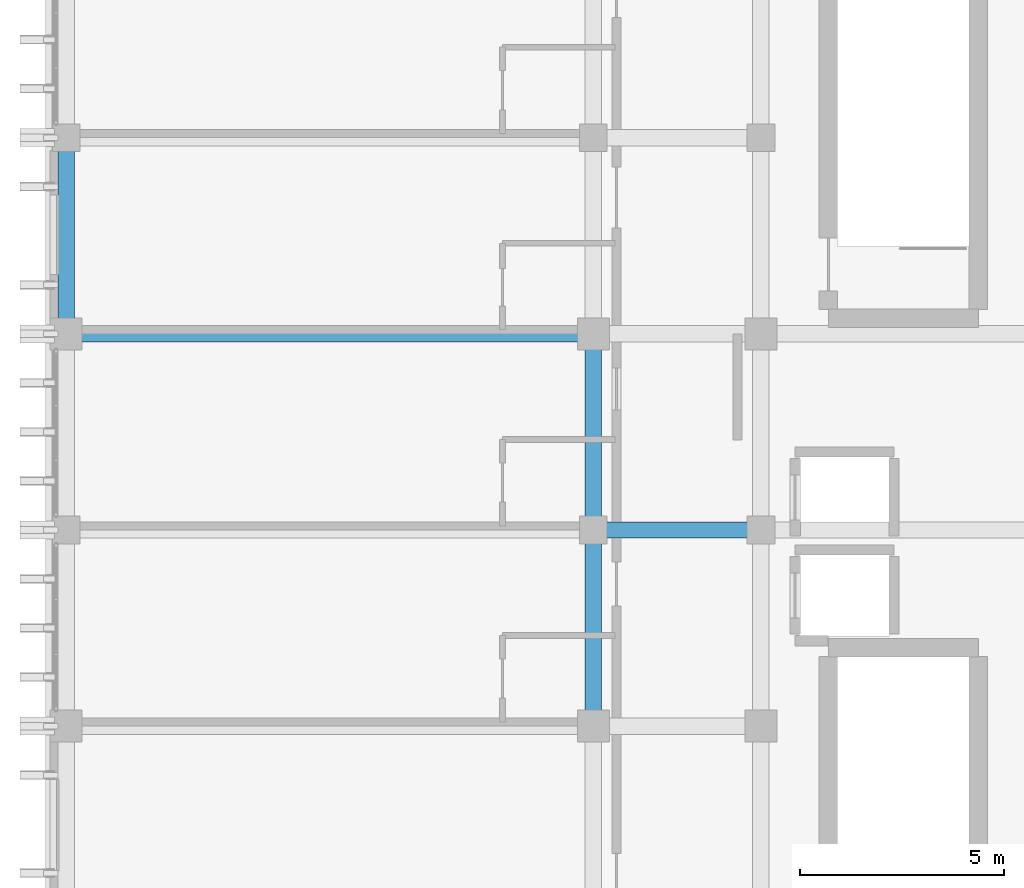
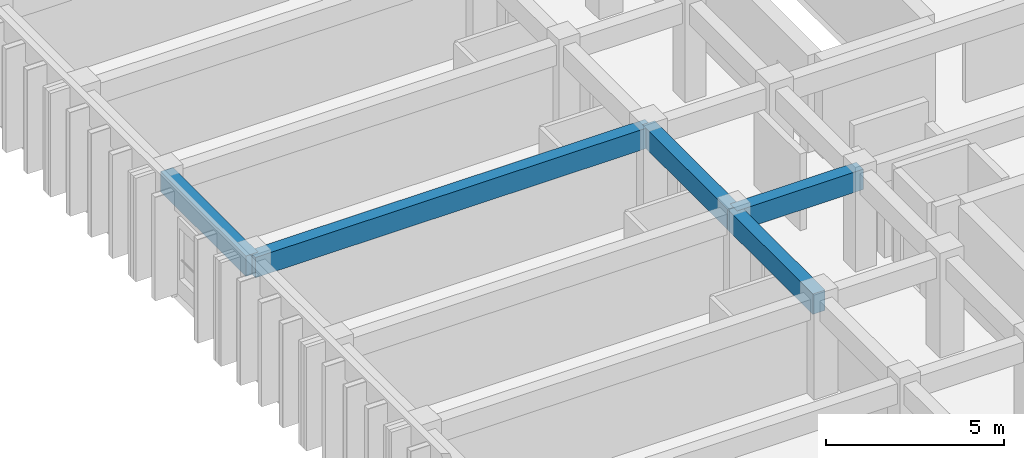
# One storey, part 11 of 68: 5 beams.
"""IFC4 building model written with IfcOpenShell, lengths in metres."""

from ifc_helpers import new_model, si_unit, direction, frame, origin, origin_2d, place, context, subcontext, project, spatial, rectangle, extrude, material, material_profile, profile_set, type_object, element, save


model = new_model("IFC4")

# Units and contexts
model_context = context("Model", 3, precision=1e-05, world=origin(), true_north=direction((0.0, 1.0)))
body_context = subcontext(model_context, "Body", "Model", "MODEL_VIEW")
ifc_project = project(units=[si_unit("LENGTHUNIT", "METRE"), si_unit("AREAUNIT", "SQUARE_METRE"), si_unit("VOLUMEUNIT", "CUBIC_METRE"), si_unit("PLANEANGLEUNIT", "RADIAN"), si_unit("MASSUNIT", "GRAM", prefix="KILO")], contexts=[model_context])

# Site, building, storey
site_placement = place(None, origin())
site = spatial("IfcSite", under=ifc_project, at=site_placement, CompositionType="ELEMENT")
building_placement = place(site_placement, origin())
building = spatial("IfcBuilding", under=site, at=building_placement, Name="Nakhvara Creek Congress Hotel", CompositionType="ELEMENT")
storey_placement = place(building_placement, frame((0.0, 0.0, 24.60009765625)))
storey = spatial("IfcBuildingStorey", under=building, at=storey_placement, Name="L05", CompositionType="ELEMENT", Elevation=24.60009765625)

# Beams
ifc_material = material(Name="Concrete C40/50", Category="concrete")
ifc_material_profile = material_profile(ifc_material, rectangle(XDim=0.39990234375, YDim=0.699951171875, at=origin_2d()), Name="RC-BM 400x700", Category="LoadBearing")
ifc_profile_set = profile_set([ifc_material_profile], Name="Concrete C40/50")
beam_type = type_object("IfcBeamType", Name="BM-RC-400X700", PredefinedType="BEAM", material=ifc_profile_set)
beam_1_placement = place(storey_placement, frame((149.449951171875, 48.0, 2.989990234375), z_axis=(1.0, 0.0, 0.0), x_axis=(0.0, 1.0, 0.0)))
element("IfcBeam", 1, at=beam_1_placement, inside=storey, type_object=beam_type, Name="Beam B05-L05-2063", PredefinedType="BEAM", context=body_context, shape_type="SweptSolid", body=[
    extrude(rectangle(XDim=0.39990234375, YDim=0.699951171875, at=origin_2d()), origin(), (0.0, 0.0, 1.0), 12.900146484375),
])
for number, where, z_axis, x_axis, name in (
    (2, (149.449951171875, 48.0, 2.989990234375), (0.0, 1.0, 0.0), (-1.0, 0.0, 0.0), "Beam B05-L05-2065"),
    (3, (162.35009765625, 38.39990234375, 2.989990234375), (0.0, 1.0, 0.0), (-1.0, 0.0, 0.0), "Beam B05-L05-2091"),
    (4, (162.35009765625, 43.199951171875, 2.989990234375), (0.0, 1.0, 0.0), (-1.0, 0.0, 0.0), "Beam B05-L05-2093"),
):
    element("IfcBeam", number, at=place(storey_placement, frame(where, z_axis=z_axis, x_axis=x_axis)), inside=storey, type_object=beam_type, Name=name, PredefinedType="BEAM", context=body_context, shape_type="SweptSolid", body=[
        extrude(rectangle(XDim=0.39990234375, YDim=0.699951171875, at=origin_2d()), origin(), (0.0, 0.0, 1.0), 4.800048828125),
    ])
beam_2_placement = place(storey_placement, frame((162.35009765625, 43.199951171875, 2.989990234375), z_axis=(1.0, 0.0, 0.0), x_axis=(0.0, 1.0, 0.0)))
element("IfcBeam", 5, at=beam_2_placement, inside=storey, type_object=beam_type, Name="Beam B05-L05-2176", PredefinedType="BEAM", context=body_context, shape_type="SweptSolid", body=[
    extrude(rectangle(XDim=0.39990234375, YDim=0.699951171875, at=origin_2d()), origin(), (0.0, 0.0, 1.0), 4.099853515625),
])

save(model, "model.ifc")
